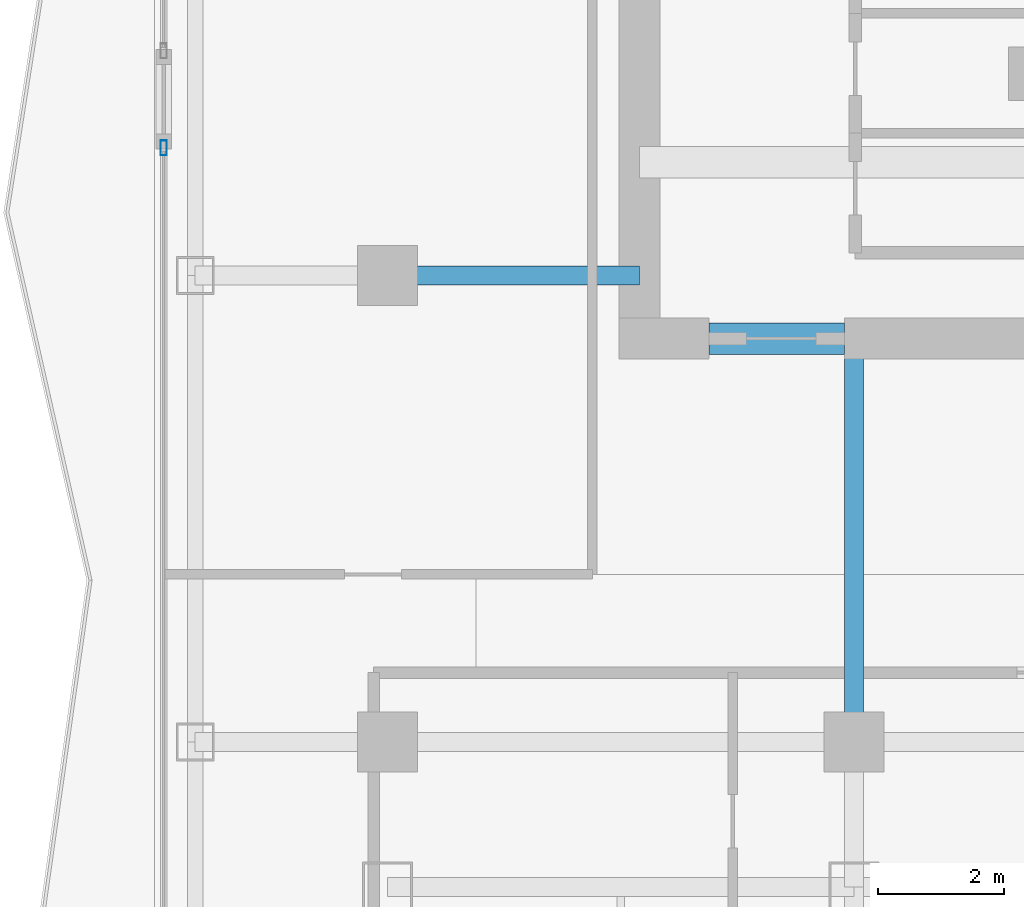
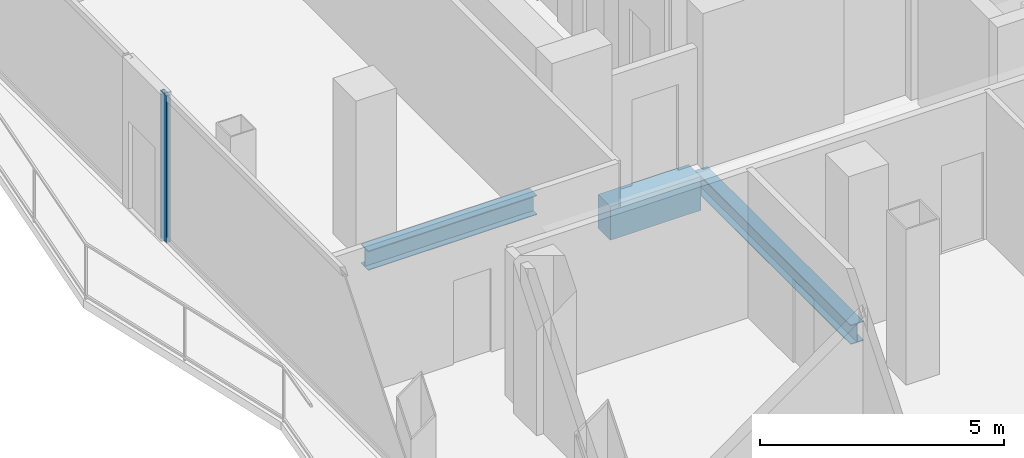
# One storey, part 6 of 27: 3 beams, 1 member, 1 element without a shape of its own.
"""IFC4 building model written with IfcOpenShell, lengths in metres."""

from ifc_helpers import new_model, si_unit, direction, frame, origin, origin_2d, place, context, subcontext, project, spatial, rectangle, hollow_rectangle, i_section, extrude, material, layer, layer_set, material_profile, profile_set, type_object, element, aggregate, save


model = new_model("IFC4")

# Units and contexts
model_context = context("Model", 3, precision=1e-05, world=origin(), true_north=direction((0.0, 1.0)))
body_context = subcontext(model_context, "Body", "Model", "MODEL_VIEW")
ifc_project = project(units=[si_unit("LENGTHUNIT", "METRE"), si_unit("AREAUNIT", "SQUARE_METRE"), si_unit("VOLUMEUNIT", "CUBIC_METRE"), si_unit("PLANEANGLEUNIT", "RADIAN"), si_unit("MASSUNIT", "GRAM", prefix="KILO")], contexts=[model_context])

# Site, building, storey
site_placement = place(None, origin())
site = spatial("IfcSite", under=ifc_project, at=site_placement, CompositionType="ELEMENT")
building_placement = place(site_placement, origin())
building = spatial("IfcBuilding", under=site, at=building_placement, Name="Khorvyn Point Tower", CompositionType="ELEMENT")
storey_placement = place(building_placement, frame((0.0, 0.0, 243.0)))
storey = spatial("IfcBuildingStorey", under=building, at=storey_placement, Name="L59", CompositionType="ELEMENT", Elevation=243.0)

# Curtain wall, member
ifc_material_1 = material(Name="Anodised aluminium 6063-T6 and laminated Low-E glass", Category="aluminium")
ifc_layer = layer(ifc_material_1, 0.18994140625)
ifc_layer_set = layer_set([ifc_layer], Name="Stick-Built Acoustic Curtain Wall CW-SYS-03")
curtain_wall_type = type_object("IfcCurtainWallType", Name="Stick-Built Acoustic Curtain Wall CW-SYS-03", PredefinedType="NOTDEFINED", material=ifc_layer_set)
curtain_wall_placement = place(storey_placement, origin())
curtain_wall = element("IfcCurtainWall", 1, at=curtain_wall_placement, inside=storey, type_object=curtain_wall_type, Name="Curtain Wall", PredefinedType="NOTDEFINED")
ifc_material_2 = material(Name="Anodised aluminium 6063-T6", Category="aluminium")
ifc_material_profile_1 = material_profile(ifc_material_2, hollow_rectangle(XDim=0.10009765625, YDim=0.239990234375, WallThickness=0.0048828125, at=origin_2d()))
ifc_profile_set_1 = profile_set([ifc_material_profile_1], Name="Anodised aluminium 6063-T6 ALU-MUL-100x240")
member_type = type_object("IfcMemberType", Name="Anodised Aluminium 6063-T6 Mullion ALU-MUL-100x240", PredefinedType="MULLION", material=ifc_profile_set_1)
member_placement = place(storey_placement, frame((-18.35009765625, -5.375, 0.0), z_axis=(0.0, 0.0, 1.0), x_axis=(-1.0, 0.0, 0.0)))
member = element("IfcMember", 2, at=member_placement, type_object=member_type, Name="Transom", PredefinedType="MULLION", context=body_context, shape_type="SweptSolid", body=[
    extrude(hollow_rectangle(XDim=0.10009765625, YDim=0.239990234375, WallThickness=0.0048828125, at=origin_2d()), origin(), (0.0, 0.0, 1.0), 3.679931640625),
])
aggregate(curtain_wall, [member])

# Beams
ifc_material_3 = material(Name="Concrete C45/55", Category="concrete")
ifc_material_profile_2 = material_profile(ifc_material_3, rectangle(XDim=0.5, YDim=0.85009765625, at=origin_2d()))
ifc_profile_set_2 = profile_set([ifc_material_profile_2], Name="Concrete C45/55 RC500x850")
beam_type_1 = type_object("IfcBeamType", Name="Concrete C45/55 Beam RC500x850", PredefinedType="BEAM", material=ifc_profile_set_2)
beam_1_placement = place(storey_placement, frame((-9.699951171875, -8.39990234375, -0.64501953125), z_axis=(1.0, 0.0, 0.0), x_axis=(0.0, 1.0, 0.0)))
element("IfcBeam", 3, at=beam_1_placement, inside=storey, type_object=beam_type_1, Name="L59 Core Southwest Portal Coupling Beam", PredefinedType="BEAM", context=body_context, shape_type="SweptSolid", body=[
    extrude(rectangle(XDim=0.5, YDim=0.85009765625, at=origin_2d()), origin(), (0.0, 0.0, 1.0), 2.14990234375),
])
ifc_material_4 = material(Name="Steel S355", Category="steel")
ifc_material_profile_3 = material_profile(ifc_material_4, i_section(OverallWidth=0.300048828125, OverallDepth=0.488037109375, WebThickness=0.010986328125, FlangeThickness=0.01806640625, at=origin_2d()))
ifc_profile_set_3 = profile_set([ifc_material_profile_3], Name="Steel S355 H488x300x11x18")
beam_type_2 = type_object("IfcBeamType", Name="Steel S355 Spandrel H488x300x11x18", PredefinedType="SPANDREL", material=ifc_profile_set_3)
beam_2_placement = place(storey_placement, frame((-14.800048828125, -7.39990234375, -0.464111328125), z_axis=(1.0, 0.0, 0.0), x_axis=(0.0, 1.0, 0.0)))
element("IfcBeam", 4, at=beam_2_placement, inside=storey, type_object=beam_type_2, Name="Beam", PredefinedType="SPANDREL", context=body_context, shape_type="SweptSolid", body=[
    extrude(i_section(OverallWidth=0.300048828125, OverallDepth=0.488037109375, WebThickness=0.010986328125, FlangeThickness=0.01806640625, at=origin_2d()), origin(), (0.0, 0.0, 1.0), 4.0),
])
beam_3_placement = place(storey_placement, frame((-7.39990234375, -14.800048828125, -0.464111328125), z_axis=(0.0, 1.0, 0.0), x_axis=(-1.0, 0.0, 0.0)))
element("IfcBeam", 5, at=beam_3_placement, inside=storey, type_object=beam_type_2, Name="Beam", PredefinedType="SPANDREL", context=body_context, shape_type="SweptSolid", body=[
    extrude(i_section(OverallWidth=0.300048828125, OverallDepth=0.488037109375, WebThickness=0.010986328125, FlangeThickness=0.01806640625, at=origin_2d()), origin(), (0.0, 0.0, 1.0), 6.400146484375),
])

save(model, "model.ifc")
